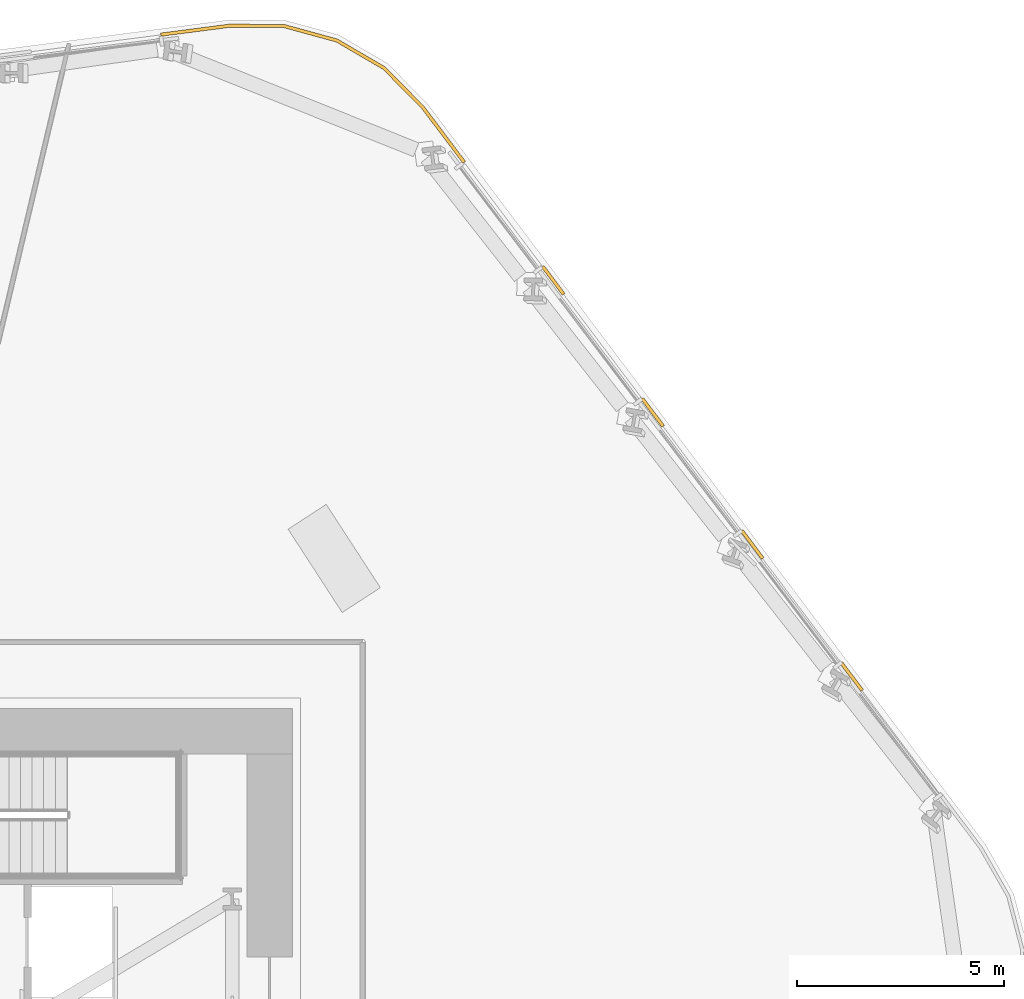
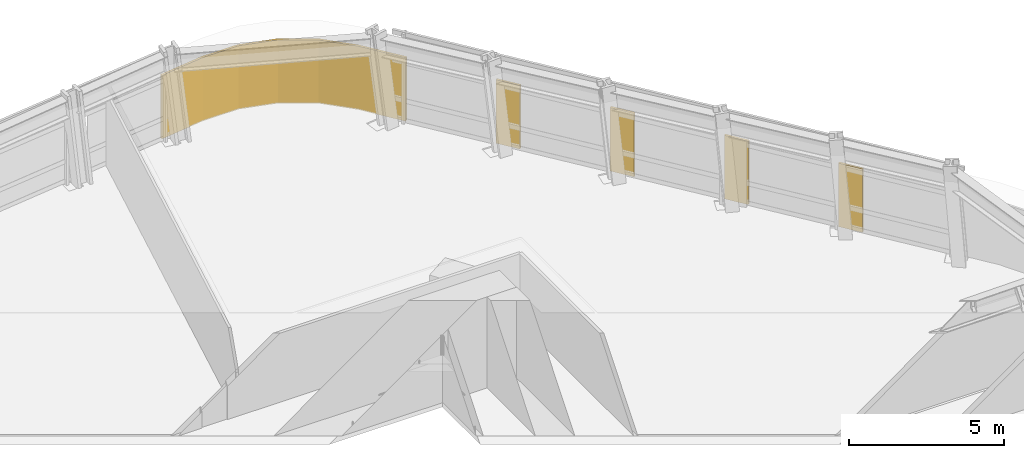
# One storey, part 15 of 16: 5 coverings.
"""IFC4 building model written with IfcOpenShell, lengths in metres."""

import ifcopenshell
import ifcopenshell.guid

model = None  # the IFC model being written
_history = None  # IfcOwnerHistory: only IFC2X3 demands one
_inside = {}  # id of a spatial element -> (the spatial element, [elements in it])
_under = {}  # id of a project, library or spatial element -> (it, [spatial elements below it])
_declared = {}  # id of a project -> (the project, [libraries it declares])
_typed = {}  # id of a type object -> (the type object, [elements of that type])
_made_of = {}  # id of a material, layer set ... -> (it, [elements and type objects made of it])


def new_model(schema):
    """Start an empty IFC model of exactly this schema.

    Asked for "IFC4X3", IfcOpenShell would pick the latest addendum, in which some entities
    have other attributes; the version numbers below select the first issue.
    IFC2X3 requires an IfcOwnerHistory on every rooted entity: one is made here for all.
    """
    global model, _history
    if schema == "IFC4X3":
        model = ifcopenshell.file(schema_version=(4, 3, 0, 0))
    else:
        model = ifcopenshell.file(schema=schema)
    _inside.clear()
    _under.clear()
    _declared.clear()
    _typed.clear()
    _made_of.clear()
    _history = None
    if model.schema == "IFC2X3":
        org = make("IfcOrganization", Name="unknown")
        user = make(
            "IfcPersonAndOrganization",
            ThePerson=make("IfcPerson", FamilyName="unknown"),
            TheOrganization=org,
        )
        app = make(
            "IfcApplication",
            ApplicationDeveloper=org,
            Version="unknown",
            ApplicationFullName="unknown",
            ApplicationIdentifier="unknown",
        )
        _history = make(
            "IfcOwnerHistory",
            OwningUser=user,
            OwningApplication=app,
            ChangeAction="ADDED",
            CreationDate=0,
        )
    return model


def make(cls, **values):
    """One entity of the class cls with the attributes given. An attribute that is None is left unset."""
    return model.create_entity(
        cls, **{name: value for name, value in values.items() if value is not None}
    )


def rooted(cls, **values):
    """An entity with a GlobalId (a new one), such as an element, a storey or a relation."""
    return make(cls, GlobalId=ifcopenshell.guid.new(), OwnerHistory=_history, **values)


def si_unit(unit_type, name, prefix=None):
    """IfcSIUnit, for example si_unit("LENGTHUNIT", "METRE", prefix="MILLI")."""
    return make("IfcSIUnit", UnitType=unit_type, Prefix=prefix, Name=name)


def assignment(units):
    """IfcUnitAssignment: the units of a project."""
    return None if units is None else make("IfcUnitAssignment", Units=units)


def point(xyz):
    """IfcCartesianPoint."""
    return None if xyz is None else make("IfcCartesianPoint", Coordinates=xyz)


def direction(xyz):
    """IfcDirection."""
    return None if xyz is None else make("IfcDirection", DirectionRatios=xyz)


def frame(location, z_axis=None, x_axis=None):
    """IfcAxis2Placement3D, a coordinate frame: its origin and axes. An axis left out is left unset."""
    return make(
        "IfcAxis2Placement3D",
        Location=point(location),
        Axis=direction(z_axis),
        RefDirection=direction(x_axis),
    )


def origin():
    """The frame at (0, 0, 0) with its axes left unset."""
    return frame((0.0, 0.0, 0.0))


def place(relative_to, where):
    """IfcLocalPlacement: puts the frame where relative to a parent placement (None: the world)."""
    return make(
        "IfcLocalPlacement", PlacementRelTo=relative_to, RelativePlacement=where
    )


def context(
    kind, dimensions, precision=None, world=None, true_north=None, identifier=None
):
    """IfcGeometricRepresentationContext, for example the 3D "Model" context."""
    return make(
        "IfcGeometricRepresentationContext",
        ContextIdentifier=identifier,
        ContextType=kind,
        CoordinateSpaceDimension=dimensions,
        Precision=precision,
        WorldCoordinateSystem=world,
        TrueNorth=true_north,
    )


def subcontext(parent, identifier, kind, view, scale=None):
    """IfcGeometricRepresentationSubContext, for example "Body" below "Model"."""
    return make(
        "IfcGeometricRepresentationSubContext",
        ContextIdentifier=identifier,
        ContextType=kind,
        ParentContext=parent,
        TargetScale=scale,
        TargetView=view,
    )


def project(units=None, contexts=None):
    """IfcProject with its units and contexts."""
    return rooted(
        "IfcProject",
        Name="project",
        RepresentationContexts=contexts,
        UnitsInContext=assignment(units),
    )


def spatial(cls, under=None, at=None, **own):
    """A site, building, storey or space (cls), placed at a placement, below another one or the project."""
    s = rooted(cls, ObjectPlacement=at, **own)
    if under is not None:
        _under.setdefault(under.id(), (under, []))[1].append(s)
    return s


def polyline(points):
    """IfcPolyline through the points."""
    return make("IfcPolyline", Points=[point(p) for p in points])


def outline(outer, holes=None, kind="AREA"):
    """IfcArbitraryClosedProfileDef: a profile drawn as a closed curve; with holes, ...WithVoids."""
    if holes is None:
        return make("IfcArbitraryClosedProfileDef", ProfileType=kind, OuterCurve=outer)
    return make(
        "IfcArbitraryProfileDefWithVoids",
        ProfileType=kind,
        OuterCurve=outer,
        InnerCurves=holes,
    )


def extrude(swept, where, along, depth):
    """IfcExtrudedAreaSolid: the profile swept, set in the frame where, extruded along a direction by depth."""
    return make(
        "IfcExtrudedAreaSolid",
        SweptArea=swept,
        Position=where,
        ExtrudedDirection=direction(along),
        Depth=depth,
    )


def shape(context_of_items, identifier, shape_type, items):
    """IfcShapeRepresentation: the items that make up one representation, for example the "Body"."""
    return make(
        "IfcShapeRepresentation",
        ContextOfItems=context_of_items,
        RepresentationIdentifier=identifier,
        RepresentationType=shape_type,
        Items=items,
    )


def material(Name=None, Category=None):
    """IfcMaterial."""
    return make("IfcMaterial", Name=Name, Category=Category)


def layer(
    of_material, thickness, ventilated=None, Name=None, Category=None, Priority=None
):
    """IfcMaterialLayer: one layer of a wall or slab, of a material (None: an air gap)."""
    return make(
        "IfcMaterialLayer",
        Material=of_material,
        LayerThickness=thickness,
        IsVentilated=ventilated,
        Name=Name,
        Category=Category,
        Priority=Priority,
    )


def layer_set(layers, Name=None):
    """IfcMaterialLayerSet."""
    return make("IfcMaterialLayerSet", MaterialLayers=layers, LayerSetName=Name)


def made_of(thing, what):
    """Note that an element or type object is made of a material, layer set ...; save() writes the relation."""
    if what is not None:
        _made_of.setdefault(what.id(), (what, []))[1].append(thing)
    return thing


def type_object(cls, material=None, **own):
    """A type object (cls), such as IfcWallType, which elements share."""
    return made_of(rooted(cls, **own), material)


def element(
    cls,
    number,
    at=None,
    inside=None,
    cuts=None,
    type_object=None,
    material=None,
    context=None,
    identifier="Body",
    shape_type=None,
    held_by="IfcProductDefinitionShape",
    body=None,
    shapes=None,
    **own,
):
    """One element of the class cls, such as IfcWall. Its Tag is "e" and its number.

    at: its placement. inside: the storey or other place that contains it. cuts: it is an
    opening in that element (IfcRelVoidsElement). A single representation is given by context,
    identifier, shape_type and body (its items); several are given by shapes. held_by: the class
    of the entity that holds the representations. save() writes the other relations.
    """
    e = rooted(cls, Tag="e%d" % number, ObjectPlacement=at, **own)
    if body is not None:
        shapes = [shape(context, identifier, shape_type, body)]
    if shapes is not None:
        e.Representation = make(held_by, Representations=shapes)
    if inside is not None:
        _inside.setdefault(inside.id(), (inside, []))[1].append(e)
    if cuts is not None:
        rooted(
            "IfcRelVoidsElement", RelatingBuildingElement=cuts, RelatedOpeningElement=e
        )
    if type_object is not None:
        _typed.setdefault(type_object.id(), (type_object, []))[1].append(e)
    return made_of(e, material)


def aggregate(whole, parts):
    """IfcRelAggregates: a whole, such as a stair, and the parts it consists of."""
    return rooted("IfcRelAggregates", RelatingObject=whole, RelatedObjects=parts)


def save(model, path):
    """Write the relations noted so far, then the file.

    IfcRelAggregates (storeys below a building ...), IfcRelContainedInSpatialStructure (elements
    in a storey), IfcRelDefinesByType, IfcRelAssociatesMaterial and IfcRelDeclares: one each for
    every whole, place, type object, material and project.
    """
    for whole, parts in _under.values():
        aggregate(whole, parts)
    for where, things in _inside.values():
        rooted(
            "IfcRelContainedInSpatialStructure",
            RelatedElements=things,
            RelatingStructure=where,
        )
    for kind, things in _typed.values():
        rooted("IfcRelDefinesByType", RelatedObjects=things, RelatingType=kind)
    for what, things in _made_of.values():
        rooted("IfcRelAssociatesMaterial", RelatedObjects=things, RelatingMaterial=what)
    for by, libraries in _declared.values():
        rooted("IfcRelDeclares", RelatingContext=by, RelatedDefinitions=libraries)
    model.write(path)


model = new_model("IFC4")

# Units and contexts
model_context = context("Model", 3, precision=1e-05, world=origin(), true_north=direction((0.0, 1.0)))
body_context = subcontext(model_context, "Body", "Model", "MODEL_VIEW")
ifc_project = project(units=[si_unit("LENGTHUNIT", "METRE"), si_unit("AREAUNIT", "SQUARE_METRE"), si_unit("VOLUMEUNIT", "CUBIC_METRE"), si_unit("PLANEANGLEUNIT", "RADIAN"), si_unit("MASSUNIT", "GRAM", prefix="KILO")], contexts=[model_context])

# Site, building, storey
site_placement = place(None, origin())
site = spatial("IfcSite", under=ifc_project, at=site_placement, CompositionType="ELEMENT")
building_placement = place(site_placement, origin())
building = spatial("IfcBuilding", under=site, at=building_placement, Name="Valkerne Bourse Tower", CompositionType="ELEMENT")
storey_placement = place(building_placement, frame((0.0, 0.0, 54.39990234375)))
storey = spatial("IfcBuildingStorey", under=building, at=storey_placement, Name="L13", CompositionType="ELEMENT", Elevation=54.39990234375)

# Coverings
ifc_material = material(Name="Bronze Anodised Aluminium AA 6063-T6", Category="aluminium")
ifc_layer = layer(ifc_material, 0.06005859375)
ifc_layer_set = layer_set([ifc_layer], Name="Bronze Anodised Aluminium AA 6063-T6")
covering_type = type_object("IfcCoveringType", Name="COV-CRN-ALUM", PredefinedType="CLADDING", material=ifc_layer_set)
covering_1_placement = place(storey_placement, origin())
element("IfcCovering", 1, at=covering_1_placement, inside=storey, type_object=covering_type, Name="L13 Wind-Shaped Corner Aluminium Cladding 21", PredefinedType="CLADDING", context=body_context, shape_type="SweptSolid", body=[
    extrude(outline(polyline([(54.869140625, 52.79052734375), (56.206787109375, 52.78369140625), (57.49072265625, 52.432373046875), (58.64013671875, 51.7607421875), (59.580810546875, 50.81005859375), (60.584716796875, 49.477783203125), (60.52099609375, 49.42919921875), (59.520263671875, 50.757568359375), (58.590576171875, 51.697021484375), (57.45947265625, 52.35791015625), (56.19580078125, 52.70361328125), (54.874267578125, 52.71044921875), (53.22509765625, 52.49609375), (53.215087890625, 52.57568359375), (54.869140625, 52.79052734375)])), origin(), (0.0, 0.0, 1.0), 2.5),
])
covering_2_placement = place(storey_placement, origin())
element("IfcCovering", 2, at=covering_2_placement, inside=storey, type_object=covering_type, Name="L13 Wind-Shaped Corner Aluminium Cladding 22", PredefinedType="CLADDING", context=body_context, shape_type="SweptSolid", body=[
    extrude(outline(polyline([(62.9892578125, 46.2861328125), (62.92529296875, 46.23779296875), (62.419921875, 46.90869140625), (62.483642578125, 46.95703125), (62.9892578125, 46.2861328125)])), origin(), (0.0, 0.0, 1.0), 2.5),
])
covering_3_placement = place(storey_placement, origin())
element("IfcCovering", 3, at=covering_3_placement, inside=storey, type_object=covering_type, Name="L13 Wind-Shaped Corner Aluminium Cladding 23", PredefinedType="CLADDING", context=body_context, shape_type="SweptSolid", body=[
    extrude(outline(polyline([(65.393798828125, 43.094482421875), (65.330078125, 43.0458984375), (64.824462890625, 43.717041015625), (64.88818359375, 43.765380859375), (65.393798828125, 43.094482421875)])), origin(), (0.0, 0.0, 1.0), 2.5),
])
covering_4_placement = place(storey_placement, origin())
element("IfcCovering", 4, at=covering_4_placement, inside=storey, type_object=covering_type, Name="L13 Wind-Shaped Corner Aluminium Cladding 24", PredefinedType="CLADDING", context=body_context, shape_type="SweptSolid", body=[
    extrude(outline(polyline([(67.798095703125, 39.90283203125), (67.734619140625, 39.8544921875), (67.22900390625, 40.525390625), (67.292724609375, 40.57373046875), (67.798095703125, 39.90283203125)])), origin(), (0.0, 0.0, 1.0), 2.5),
])
covering_5_placement = place(storey_placement, origin())
element("IfcCovering", 5, at=covering_5_placement, inside=storey, type_object=covering_type, Name="L13 Wind-Shaped Corner Aluminium Cladding 25", PredefinedType="CLADDING", context=body_context, shape_type="SweptSolid", body=[
    extrude(outline(polyline([(70.20263671875, 36.711181640625), (70.138916015625, 36.662841796875), (69.633544921875, 37.333740234375), (69.697265625, 37.382080078125), (70.20263671875, 36.711181640625)])), origin(), (0.0, 0.0, 1.0), 2.5),
])

save(model, "model.ifc")
